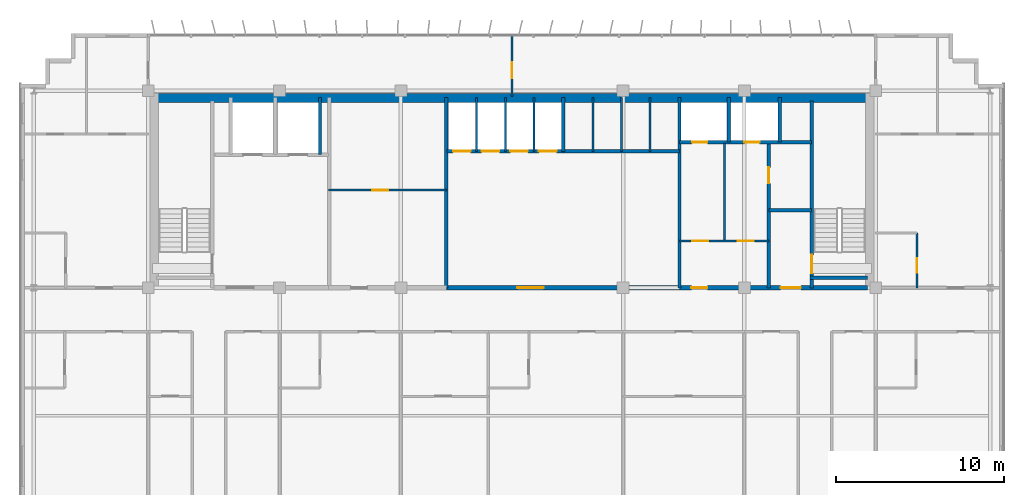
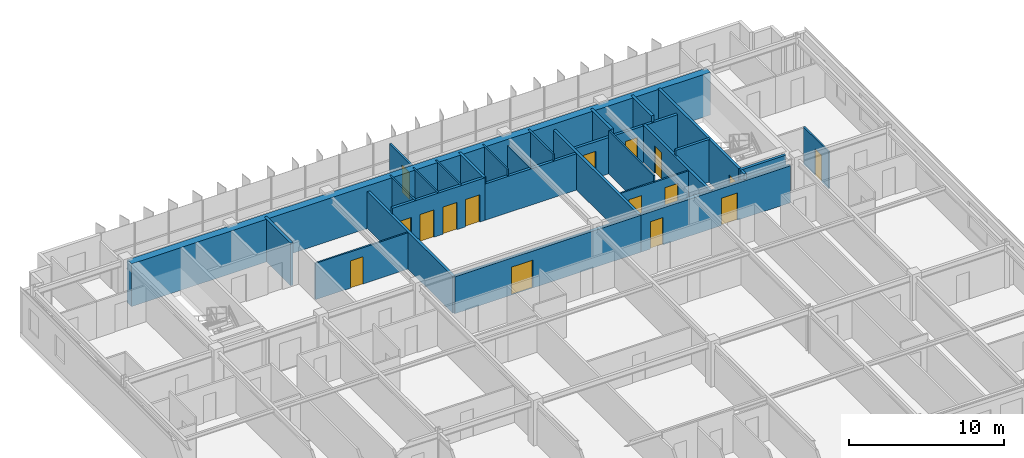
# One storey, part 20 of 23: 27 walls, 16 doors, 16 openings.
"""IFC4 building model written with IfcOpenShell, lengths in metres."""

from ifc_helpers import new_model, si_unit, direction, frame, frame_2d, origin, place, context, subcontext, project, spatial, rectangle, extrude, source, transform, mapped, material, layer, layer_set, type_object, element, fill, save


model = new_model("IFC4")

# Units and contexts
model_context = context("Model", 3, precision=1e-05, world=origin(), true_north=direction((0.0, 1.0)))
body_context = subcontext(model_context, "Body", "Model", "MODEL_VIEW")
ifc_project = project(units=[si_unit("LENGTHUNIT", "METRE"), si_unit("AREAUNIT", "SQUARE_METRE"), si_unit("VOLUMEUNIT", "CUBIC_METRE"), si_unit("PLANEANGLEUNIT", "RADIAN"), si_unit("MASSUNIT", "GRAM", prefix="KILO")], contexts=[model_context])

# Site, building, storey
site_placement = place(None, origin())
site = spatial("IfcSite", under=ifc_project, at=site_placement, CompositionType="ELEMENT")
building_placement = place(site_placement, origin())
building = spatial("IfcBuilding", under=site, at=building_placement, Name="Trelvane Seafront Commons", CompositionType="ELEMENT")
storey_placement = place(building_placement, frame((0.0, 0.0, 204.89990234375)))
storey = spatial("IfcBuildingStorey", under=building, at=storey_placement, Name="L53", CompositionType="ELEMENT", Elevation=204.89990234375)

# Wall, opening, door
ifc_material_1 = material(Name="Concrete C40/50", Category="concrete")
ifc_layer_1 = layer(ifc_material_1, 0.199951171875, Name="ARCH-WALL-FIRE200")
ifc_layer_set_1 = layer_set([ifc_layer_1], Name="Concrete C40/50")
wall_type_1 = type_object("IfcWallType", Name="ARCH-WALL-FIRE200", PredefinedType="PARTITIONING", material=ifc_layer_set_1)
wall_1_placement = place(storey_placement, frame((52.449951171875, 33.39990234375, 0.0), z_axis=(0.0, 0.0, 1.0), x_axis=(0.0, 1.0, 0.0)))
wall_1 = element("IfcWall", 1, at=wall_1_placement, inside=storey, type_object=wall_type_1, Name="W-L53-ST2V-W-031", PredefinedType="PARTITIONING", context=body_context, shape_type="SweptSolid", body=[
    extrude(rectangle(XDim=8.650146484375, YDim=0.199951171875, at=frame_2d((4.3251953125, 0.0))), origin(), (0.0, 0.0, 1.0), 2.91015625),
])
opening_1_placement = place(wall_1_placement, frame((6.199951171875, 0.0, 0.0)))
opening_1 = element("IfcOpeningElement", 2, at=opening_1_placement, cuts=wall_1, Name="Opening FD-L53-15", PredefinedType="OPENING", context=body_context, shape_type="SweptSolid", body=[
    extrude(rectangle(XDim=0.949951171875, YDim=2.14990234375, at=frame_2d((0.47509765625, 1.074951171875))), frame((0.0, 0.10986328125, 0.0), z_axis=(0.0, -1.0, 0.0), x_axis=(1.0, 0.0, 0.0)), (0.0, 0.0, 1.0), 0.219970703125),
])
ifc_material_2 = material(Name="Powder-coated aluminium frame", Category="aluminium")
door_type_1 = type_object("IfcDoorType", Name="ARCH-DR-FD60-950", OperationType="NOTDEFINED", PredefinedType="DOOR", material=ifc_material_2)
shared_shape_1 = source(origin(), body_context, "Body", "SweptSolid", [
    extrude(rectangle(XDim=0.949951171875, YDim=2.14990234375, at=frame_2d((0.47509765625, 1.074951171875))), frame((0.0, 0.02490234375, 0.0), z_axis=(0.0, -1.0, 0.0), x_axis=(1.0, 0.0, 0.0)), (0.0, 0.0, 1.0), 0.050048828125),
])
door_1_placement = place(opening_1_placement, origin())
door_1 = element("IfcDoor", 3, at=door_1_placement, inside=storey, type_object=door_type_1, Name="L53 Cleaner Store Door", OperationType="SINGLE_SWING_LEFT", OverallHeight=2.14990234375, OverallWidth=0.949951171875, PredefinedType="DOOR", context=body_context, shape_type="MappedRepresentation", body=[
    mapped(shared_shape_1, transform((0.0, 0.0, 0.0), x_axis=(1.0, 0.0, 0.0), y_axis=(0.0, 1.0, 0.0), z_axis=(0.0, 0.0, 1.0), scale=1.0)),
])
fill(opening_1, door_1)

# Wall
wall_2_placement = place(storey_placement, frame((52.449951171875, 38.0, 0.0), z_axis=(0.0, 0.0, 1.0), x_axis=(1.0, 0.0, 0.0)))
element("IfcWall", 4, at=wall_2_placement, inside=storey, type_object=wall_type_1, Name="W-L53-ST2V-N-032", PredefinedType="PARTITIONING", context=body_context, shape_type="SweptSolid", body=[
    extrude(rectangle(XDim=2.550048828125, YDim=0.199951171875, at=frame_2d((1.27490234375, 0.0))), origin(), (0.0, 0.0, 1.0), 3.360107421875),
])

# Wall, opening, door
ifc_layer_2 = layer(ifc_material_1, 0.25, Name="ARCH-WALL-FIRE250")
ifc_layer_set_2 = layer_set([ifc_layer_2], Name="Concrete C40/50")
wall_type_2 = type_object("IfcWallType", Name="ARCH-WALL-FIRE250", PredefinedType="PARTITIONING", material=ifc_layer_set_2)
wall_3_placement = place(storey_placement, frame((33.300048828125, 33.39990234375, 0.0), z_axis=(0.0, 0.0, 1.0), x_axis=(1.0, 0.0, 0.0)))
wall_3 = element("IfcWall", 5, at=wall_3_placement, inside=storey, type_object=wall_type_2, Name="W-L53-CS-PAX-027", PredefinedType="PARTITIONING", context=body_context, shape_type="SweptSolid", body=[
    extrude(rectangle(XDim=13.849853515625, YDim=0.25, at=frame_2d((6.9248046875, 0.0))), origin(), (0.0, 0.0, 1.0), 2.91015625),
])
opening_2_placement = place(wall_3_placement, frame((4.199951171875, 0.0, 0.0)))
opening_2 = element("IfcOpeningElement", 6, at=opening_2_placement, cuts=wall_3, Name="Opening FD-L53-12", PredefinedType="OPENING", context=body_context, shape_type="SweptSolid", body=[
    extrude(rectangle(XDim=1.60009765625, YDim=2.199951171875, at=frame_2d((0.800048828125, 1.10009765625))), frame((0.0, 0.135009765625, 0.0), z_axis=(0.0, -1.0, 0.0), x_axis=(1.0, 0.0, 0.0)), (0.0, 0.0, 1.0), 0.27001953125),
])
door_type_2 = type_object("IfcDoorType", Name="ARCH-DR-FD60-1600", OperationType="DOUBLE_DOOR_SINGLE_SWING", PredefinedType="DOOR", material=ifc_material_2)
shared_shape_2 = source(origin(), body_context, "Body", "SweptSolid", [
    extrude(rectangle(XDim=1.60009765625, YDim=2.199951171875, at=frame_2d((0.800048828125, 1.10009765625))), frame((0.0, 0.02490234375, 0.0), z_axis=(0.0, -1.0, 0.0), x_axis=(1.0, 0.0, 0.0)), (0.0, 0.0, 1.0), 0.050048828125),
])
door_2_placement = place(opening_2_placement, origin())
door_2 = element("IfcDoor", 7, at=door_2_placement, inside=storey, type_object=door_type_2, Name="L53 Passenger Lift Lobby Double Door", OperationType="DOUBLE_DOOR_SINGLE_SWING", OverallHeight=2.199951171875, OverallWidth=1.60009765625, PredefinedType="DOOR", context=body_context, shape_type="MappedRepresentation", body=[
    mapped(shared_shape_2, transform((0.0, 0.0, 0.0), x_axis=(1.0, 0.0, 0.0), y_axis=(0.0, 1.0, 0.0), z_axis=(0.0, 0.0, 1.0), scale=1.0)),
])
fill(opening_2, door_2)

# Wall, openings, doors
wall_4_placement = place(storey_placement, frame((47.14990234375, 33.39990234375, 0.0), z_axis=(0.0, 0.0, 1.0), x_axis=(1.0, 0.0, 0.0)))
wall_4 = element("IfcWall", 8, at=wall_4_placement, inside=storey, type_object=wall_type_2, Name="W-L53-CS-EAST-035", PredefinedType="PARTITIONING", context=body_context, shape_type="SweptSolid", body=[
    extrude(rectangle(XDim=11.150146484375, YDim=0.25, at=frame_2d((5.5751953125, 0.0))), origin(), (0.0, 0.0, 1.0), 2.91015625),
])
opening_3_placement = place(wall_4_placement, frame((0.699951171875, 0.0, 0.0)))
opening_3 = element("IfcOpeningElement", 9, at=opening_3_placement, cuts=wall_4, Name="Opening FD-L53-18", PredefinedType="OPENING", context=body_context, shape_type="SweptSolid", body=[
    extrude(rectangle(XDim=0.949951171875, YDim=2.14990234375, at=frame_2d((0.47509765625, 1.074951171875))), frame((0.0, 0.135009765625, 0.0), z_axis=(0.0, -1.0, 0.0), x_axis=(1.0, 0.0, 0.0)), (0.0, 0.0, 1.0), 0.27001953125),
])
opening_4_placement = place(wall_4_placement, frame((6.0, 0.0, 0.0)))
opening_4 = element("IfcOpeningElement", 10, at=opening_4_placement, cuts=wall_4, Name="Opening FD-L53-19", PredefinedType="OPENING", context=body_context, shape_type="SweptSolid", body=[
    extrude(rectangle(XDim=1.199951171875, YDim=2.14990234375, at=frame_2d((0.60009765625, 1.074951171875))), frame((0.0, 0.135009765625, 0.0), z_axis=(0.0, -1.0, 0.0), x_axis=(1.0, 0.0, 0.0)), (0.0, 0.0, 1.0), 0.27001953125),
])
door_3_placement = place(opening_3_placement, origin())
door_3 = element("IfcDoor", 11, at=door_3_placement, inside=storey, type_object=door_type_1, Name="L53 Core Service Lobby Door", OperationType="SINGLE_SWING_RIGHT", OverallHeight=2.14990234375, OverallWidth=0.949951171875, PredefinedType="DOOR", context=body_context, shape_type="MappedRepresentation", body=[
    mapped(shared_shape_1, transform((0.0, 0.0, 0.0), x_axis=(1.0, 0.0, 0.0), y_axis=(0.0, 1.0, 0.0), z_axis=(0.0, 0.0, 1.0), scale=1.0)),
])
fill(opening_3, door_3)
door_type_3 = type_object("IfcDoorType", Name="ARCH-DR-FD60-1200", OperationType="NOTDEFINED", PredefinedType="DOOR", material=ifc_material_2)
shared_shape_3 = source(origin(), body_context, "Body", "SweptSolid", [
    extrude(rectangle(XDim=1.199951171875, YDim=2.14990234375, at=frame_2d((0.60009765625, 1.074951171875))), frame((0.0, 0.02490234375, 0.0), z_axis=(0.0, -1.0, 0.0), x_axis=(1.0, 0.0, 0.0)), (0.0, 0.0, 1.0), 0.050048828125),
])
door_4_placement = place(opening_4_placement, origin())
door_4 = element("IfcDoor", 12, at=door_4_placement, inside=storey, type_object=door_type_3, Name="L53 East Stair Vestibule Fire Door", OperationType="SINGLE_SWING_LEFT", OverallHeight=2.14990234375, OverallWidth=1.199951171875, PredefinedType="DOOR", context=body_context, shape_type="MappedRepresentation", body=[
    mapped(shared_shape_3, transform((0.0, 0.0, 0.0), x_axis=(1.0, 0.0, 0.0), y_axis=(0.0, 1.0, 0.0), z_axis=(0.0, 0.0, 1.0), scale=1.0)),
])
fill(opening_4, door_4)

# Wall, opening, door
ifc_material_3 = material(Name="Gypsum Drywall Acoustic Partition")
ifc_layer_3 = layer(ifc_material_3, 0.1201171875, Name="ARCH-WALL-PART120")
ifc_layer_set_3 = layer_set([ifc_layer_3], Name="Gypsum Drywall Acoustic Partition")
wall_type_3 = type_object("IfcWallType", Name="ARCH-WALL-PART120", PredefinedType="PARTITIONING", material=ifc_layer_set_3)
wall_5_placement = place(storey_placement, frame((26.300048828125, 39.199951171875, 0.0), z_axis=(0.0, 0.0, 1.0), x_axis=(1.0, 0.0, 0.0)))
wall_5 = element("IfcWall", 13, at=wall_5_placement, inside=storey, type_object=wall_type_3, Name="W-L53-FREED-PL-MID-014", PredefinedType="PARTITIONING", context=body_context, shape_type="SweptSolid", body=[
    extrude(rectangle(XDim=7.0, YDim=0.1201171875, at=frame_2d((3.5, 0.0))), origin(), (0.0, 0.0, 1.0), 2.860107421875),
])
opening_5_placement = place(wall_5_placement, frame((2.60009765625, 0.0, 0.0)))
opening_5 = element("IfcOpeningElement", 14, at=opening_5_placement, cuts=wall_5, Name="Opening D-L53-06", PredefinedType="OPENING", context=body_context, shape_type="SweptSolid", body=[
    extrude(rectangle(XDim=0.949951171875, YDim=2.14990234375, at=frame_2d((0.47509765625, 1.074951171875))), frame((0.0, 0.070068359375, 0.0), z_axis=(0.0, -1.0, 0.0), x_axis=(1.0, 0.0, 0.0)), (0.0, 0.0, 1.0), 0.14013671875),
])
ifc_material_4 = material(Name="Acoustic timber door leaf", Category="wood")
door_type_4 = type_object("IfcDoorType", Name="ARCH-DR-INT950", OperationType="NOTDEFINED", PredefinedType="DOOR", material=ifc_material_4)
door_5_placement = place(opening_5_placement, origin())
door_5 = element("IfcDoor", 15, at=door_5_placement, inside=storey, type_object=door_type_4, Name="L53 Housekeeping Store Door", OperationType="SINGLE_SWING_RIGHT", OverallHeight=2.14990234375, OverallWidth=0.949951171875, PredefinedType="DOOR", context=body_context, shape_type="MappedRepresentation", body=[
    mapped(shared_shape_1, transform((0.0, 0.0, 0.0), x_axis=(1.0, 0.0, 0.0), y_axis=(0.0, 1.0, 0.0), z_axis=(0.0, 0.0, 1.0), scale=1.0)),
])
fill(opening_5, door_5)

# Walls
for number, where, z_axis, x_axis, name in (
    (16, (35.10009765625, 41.5, 0.0), (0.0, 0.0, 1.0), (0.0, 1.0, 0.0), "W-L53-PM-DIV1-017"),
    (17, (36.800048828125, 41.5, 0.0), (0.0, 0.0, 1.0), (0.0, 1.0, 0.0), "W-L53-PM-DIV2-018"),
    (18, (38.5, 41.5, 0.0), (0.0, 0.0, 1.0), (0.0, 1.0, 0.0), "W-L53-PM-DIV3-019"),
    (19, (42.0, 41.5, 0.0), (0.0, 0.0, 1.0), (0.0, 1.0, 0.0), "W-L53-PH-DIV1-022"),
):
    element("IfcWall", number, at=place(storey_placement, frame(where, z_axis=z_axis, x_axis=x_axis)), inside=storey, type_object=wall_type_3, Name=name, PredefinedType="PARTITIONING", context=body_context, shape_type="SweptSolid", body=[
        extrude(rectangle(XDim=3.199951171875, YDim=0.1201171875, at=frame_2d((1.60009765625, 0.0))), origin(), (0.0, 0.0, 1.0), 3.360107421875),
    ])
wall_6_placement = place(storey_placement, frame((43.699951171875, 41.5, 0.0), z_axis=(0.0, 0.0, 1.0), x_axis=(0.0, 1.0, 0.0)))
element("IfcWall", 20, at=wall_6_placement, inside=storey, type_object=wall_type_3, Name="W-L53-PH-DIV2-023", PredefinedType="PARTITIONING", context=body_context, shape_type="SweptSolid", body=[
    extrude(rectangle(XDim=3.199951171875, YDim=0.1201171875, at=frame_2d((1.60009765625, 0.0))), origin(), (0.0, 0.0, 1.0), 2.860107421875),
])
wall_7_placement = place(storey_placement, frame((45.39990234375, 41.5, 0.0), z_axis=(0.0, 0.0, 1.0), x_axis=(0.0, 1.0, 0.0)))
element("IfcWall", 21, at=wall_7_placement, inside=storey, type_object=wall_type_3, Name="W-L53-PH-DIV3-024", PredefinedType="PARTITIONING", context=body_context, shape_type="SweptSolid", body=[
    extrude(rectangle(XDim=3.199951171875, YDim=0.1201171875, at=frame_2d((1.60009765625, 0.0))), origin(), (0.0, 0.0, 1.0), 3.360107421875),
])

# Wall, openings, doors
wall_8_placement = place(storey_placement, frame((47.14990234375, 36.179931640625, 0.0), z_axis=(0.0, 0.0, 1.0), x_axis=(1.0, 0.0, 0.0)))
wall_8 = element("IfcWall", 22, at=wall_8_placement, inside=storey, type_object=wall_type_3, Name="W-L53-CYC1-H-033", PredefinedType="PARTITIONING", context=body_context, shape_type="SweptSolid", body=[
    extrude(rectangle(XDim=5.300048828125, YDim=0.1201171875, at=frame_2d((2.64990234375, 0.0))), origin(), (0.0, 0.0, 1.0), 2.860107421875),
])
opening_6_placement = place(wall_8_placement, frame((0.75, 0.0, 0.0)))
opening_6 = element("IfcOpeningElement", 23, at=opening_6_placement, cuts=wall_8, Name="Opening D-L53-16", PredefinedType="OPENING", context=body_context, shape_type="SweptSolid", body=[
    extrude(rectangle(XDim=0.949951171875, YDim=2.14990234375, at=frame_2d((0.47509765625, 1.074951171875))), frame((0.0, 0.070068359375, 0.0), z_axis=(0.0, -1.0, 0.0), x_axis=(1.0, 0.0, 0.0)), (0.0, 0.0, 1.0), 0.14013671875),
])
opening_7_placement = place(wall_8_placement, frame((3.449951171875, 0.0, 0.0)))
opening_7 = element("IfcOpeningElement", 24, at=opening_7_placement, cuts=wall_8, Name="Opening D-L53-17", PredefinedType="OPENING", context=body_context, shape_type="SweptSolid", body=[
    extrude(rectangle(XDim=0.949951171875, YDim=2.14990234375, at=frame_2d((0.47509765625, 1.074951171875))), frame((0.0, 0.070068359375, 0.0), z_axis=(0.0, -1.0, 0.0), x_axis=(1.0, 0.0, 0.0)), (0.0, 0.0, 1.0), 0.14013671875),
])
door_6_placement = place(opening_6_placement, origin())
door_6 = element("IfcDoor", 25, at=door_6_placement, inside=storey, type_object=door_type_4, Name="L53 Accessible WC Door", OperationType="SINGLE_SWING_RIGHT", OverallHeight=2.14990234375, OverallWidth=0.949951171875, PredefinedType="DOOR", context=body_context, shape_type="MappedRepresentation", body=[
    mapped(shared_shape_1, transform((0.0, 0.0, 0.0), x_axis=(1.0, 0.0, 0.0), y_axis=(0.0, 1.0, 0.0), z_axis=(0.0, 0.0, 1.0), scale=1.0)),
])
fill(opening_6, door_6)
door_7_placement = place(opening_7_placement, origin())
door_7 = element("IfcDoor", 26, at=door_7_placement, inside=storey, type_object=door_type_4, Name="L53 BMS Room Door", OperationType="SINGLE_SWING_LEFT", OverallHeight=2.14990234375, OverallWidth=0.949951171875, PredefinedType="DOOR", context=body_context, shape_type="MappedRepresentation", body=[
    mapped(shared_shape_1, transform((0.0, 0.0, 0.0), x_axis=(1.0, 0.0, 0.0), y_axis=(0.0, 1.0, 0.0), z_axis=(0.0, 0.0, 1.0), scale=1.0)),
])
fill(opening_7, door_7)

# Wall
wall_9_placement = place(storey_placement, frame((49.820068359375, 36.179931640625, 0.0), z_axis=(0.0, 0.0, 1.0), x_axis=(0.0, 1.0, 0.0)))
element("IfcWall", 27, at=wall_9_placement, inside=storey, type_object=wall_type_3, Name="W-L53-CYC1-V-034", PredefinedType="PARTITIONING", context=body_context, shape_type="SweptSolid", body=[
    extrude(rectangle(XDim=5.820068359375, YDim=0.1201171875, at=frame_2d((2.91015625, 0.0))), origin(), (0.0, 0.0, 1.0), 3.360107421875),
])

# Wall, opening, door
wall_10_placement = place(storey_placement, frame((61.25, 33.39990234375, 0.0), z_axis=(0.0, 0.0, 1.0), x_axis=(0.0, 1.0, 0.0)))
wall_10 = element("IfcWall", 28, at=wall_10_placement, inside=storey, type_object=wall_type_3, Name="W-L53-NE-BE-042", PredefinedType="PARTITIONING", context=body_context, shape_type="SweptSolid", body=[
    extrude(rectangle(XDim=3.25, YDim=0.1201171875, at=frame_2d((1.625, 0.0))), origin(), (0.0, 0.0, 1.0), 2.91015625),
])
opening_8_placement = place(wall_10_placement, frame((0.89990234375, 0.0, 0.0)))
opening_8 = element("IfcOpeningElement", 29, at=opening_8_placement, cuts=wall_10, Name="Opening D-L53-24", PredefinedType="OPENING", context=body_context, shape_type="SweptSolid", body=[
    extrude(rectangle(XDim=0.85009765625, YDim=2.10009765625, at=frame_2d((0.425048828125, 1.050048828125))), frame((0.0, 0.070068359375, 0.0), z_axis=(0.0, -1.0, 0.0), x_axis=(1.0, 0.0, 0.0)), (0.0, 0.0, 1.0), 0.14013671875),
])
door_type_5 = type_object("IfcDoorType", Name="ARCH-DR-INT850", OperationType="NOTDEFINED", PredefinedType="DOOR", material=ifc_material_4)
shared_shape_4 = source(origin(), body_context, "Body", "SweptSolid", [
    extrude(rectangle(XDim=0.85009765625, YDim=2.10009765625, at=frame_2d((0.425048828125, 1.050048828125))), frame((0.0, 0.02490234375, 0.0), z_axis=(0.0, -1.0, 0.0), x_axis=(1.0, 0.0, 0.0)), (0.0, 0.0, 1.0), 0.050048828125),
])
door_8_placement = place(opening_8_placement, origin())
door_8 = element("IfcDoor", 30, at=door_8_placement, inside=storey, type_object=door_type_5, Name="L53 Door 24", OperationType="SINGLE_SWING_RIGHT", OverallHeight=2.10009765625, OverallWidth=0.85009765625, PredefinedType="DOOR", context=body_context, shape_type="MappedRepresentation", body=[
    mapped(shared_shape_4, transform((0.0, 0.0, 0.0), x_axis=(1.0, 0.0, 0.0), y_axis=(0.0, 1.0, 0.0), z_axis=(0.0, 0.0, 1.0), scale=1.0)),
])
fill(opening_8, door_8)

wall_11_placement = place(storey_placement, frame((37.199951171875, 44.75, 0.0), z_axis=(0.0, 0.0, 1.0), x_axis=(0.0, 1.0, 0.0)))
wall_11 = element("IfcWall", 31, at=wall_11_placement, inside=storey, type_object=wall_type_3, Name="W-L53-N-MID-DV-048", PredefinedType="PARTITIONING", context=body_context, shape_type="SweptSolid", body=[
    extrude(rectangle(XDim=3.610107421875, YDim=0.1201171875, at=frame_2d((1.80517578125, 0.0))), origin(), (0.0, 0.0, 1.0), 2.91015625),
])
opening_9_placement = place(wall_11_placement, frame((1.10009765625, 0.0, 0.0)))
opening_9 = element("IfcOpeningElement", 32, at=opening_9_placement, cuts=wall_11, Name="Opening D-L53-28", PredefinedType="OPENING", context=body_context, shape_type="SweptSolid", body=[
    extrude(rectangle(XDim=0.949951171875, YDim=2.14990234375, at=frame_2d((0.47509765625, 1.074951171875))), frame((0.0, 0.070068359375, 0.0), z_axis=(0.0, -1.0, 0.0), x_axis=(1.0, 0.0, 0.0)), (0.0, 0.0, 1.0), 0.14013671875),
])
door_9_placement = place(opening_9_placement, origin())
door_9 = element("IfcDoor", 33, at=door_9_placement, inside=storey, type_object=door_type_4, Name="L53 Door 28", OperationType="SINGLE_SWING_RIGHT", OverallHeight=2.14990234375, OverallWidth=0.949951171875, PredefinedType="DOOR", context=body_context, shape_type="MappedRepresentation", body=[
    mapped(shared_shape_1, transform((0.0, 0.0, 0.0), x_axis=(1.0, 0.0, 0.0), y_axis=(0.0, 1.0, 0.0), z_axis=(0.0, 0.0, 1.0), scale=1.0)),
])
fill(opening_9, door_9)

# Walls
ifc_layer_4 = layer(ifc_material_1, 0.199951171875, Name="ARCH-WALL-SHAFT200")
ifc_layer_set_4 = layer_set([ifc_layer_4], Name="Concrete C40/50")
wall_type_4 = type_object("IfcWallType", Name="ARCH-WALL-SHAFT200", PredefinedType="SOLIDWALL", material=ifc_layer_set_4)
wall_12_placement = place(storey_placement, frame((25.800048828125, 41.300048828125, 0.0), z_axis=(0.0, 0.0, 1.0), x_axis=(0.0, 1.0, 0.0)))
element("IfcWall", 34, at=wall_12_placement, inside=storey, type_object=wall_type_4, Name="W-L53-FFL-SH-E-011", PredefinedType="SOLIDWALL", context=body_context, shape_type="SweptSolid", body=[
    extrude(rectangle(XDim=3.39990234375, YDim=0.199951171875, at=frame_2d((1.699951171875, 0.0))), origin(), (0.0, 0.0, 1.0), 3.360107421875),
])
wall_13_placement = place(storey_placement, frame((33.300048828125, 33.39990234375, 0.0), z_axis=(0.0, 0.0, 1.0), x_axis=(0.0, 1.0, 0.0)))
element("IfcWall", 35, at=wall_13_placement, inside=storey, type_object=wall_type_4, Name="W-L53-FREED-PL-E-015", PredefinedType="SOLIDWALL", context=body_context, shape_type="SweptSolid", body=[
    extrude(rectangle(XDim=11.300048828125, YDim=0.199951171875, at=frame_2d((5.64990234375, 0.0))), origin(), (0.0, 0.0, 1.0), 2.91015625),
])

# Wall, openings, doors
wall_14_placement = place(storey_placement, frame((33.35009765625, 41.5, 0.0), z_axis=(0.0, 0.0, 1.0), x_axis=(1.0, 0.0, 0.0)))
wall_14 = element("IfcWall", 36, at=wall_14_placement, inside=storey, type_object=wall_type_4, Name="W-L53-PM-FRONT-016", PredefinedType="SOLIDWALL", context=body_context, shape_type="SweptSolid", body=[
    extrude(rectangle(XDim=6.89990234375, YDim=0.199951171875, at=frame_2d((3.449951171875, 0.0))), origin(), (0.0, 0.0, 1.0), 3.360107421875),
])
opening_10_placement = place(wall_14_placement, frame((0.35009765625, 0.0, 0.0)))
opening_10 = element("IfcOpeningElement", 37, at=opening_10_placement, cuts=wall_14, Name="Opening LD-PM1-L53", PredefinedType="OPENING", context=body_context, shape_type="SweptSolid", body=[
    extrude(rectangle(XDim=1.050048828125, YDim=2.14990234375, at=frame_2d((0.52490234375, 1.074951171875))), frame((0.0, 0.10986328125, 0.0), z_axis=(0.0, -1.0, 0.0), x_axis=(1.0, 0.0, 0.0)), (0.0, 0.0, 1.0), 0.219970703125),
])
opening_11_placement = place(wall_14_placement, frame((2.050048828125, 0.0, 0.0)))
opening_11 = element("IfcOpeningElement", 38, at=opening_11_placement, cuts=wall_14, Name="Opening LD-PM2-L53", PredefinedType="OPENING", context=body_context, shape_type="SweptSolid", body=[
    extrude(rectangle(XDim=1.050048828125, YDim=2.14990234375, at=frame_2d((0.52490234375, 1.074951171875))), frame((0.0, 0.10986328125, 0.0), z_axis=(0.0, -1.0, 0.0), x_axis=(1.0, 0.0, 0.0)), (0.0, 0.0, 1.0), 0.219970703125),
])
opening_12_placement = place(wall_14_placement, frame((3.75, 0.0, 0.0)))
opening_12 = element("IfcOpeningElement", 39, at=opening_12_placement, cuts=wall_14, Name="Opening LD-PM3-L53", PredefinedType="OPENING", context=body_context, shape_type="SweptSolid", body=[
    extrude(rectangle(XDim=1.050048828125, YDim=2.14990234375, at=frame_2d((0.52490234375, 1.074951171875))), frame((0.0, 0.10986328125, 0.0), z_axis=(0.0, -1.0, 0.0), x_axis=(1.0, 0.0, 0.0)), (0.0, 0.0, 1.0), 0.219970703125),
])
opening_13_placement = place(wall_14_placement, frame((5.449951171875, 0.0, 0.0)))
opening_13 = element("IfcOpeningElement", 40, at=opening_13_placement, cuts=wall_14, Name="Opening LD-PM4-L53", PredefinedType="OPENING", context=body_context, shape_type="SweptSolid", body=[
    extrude(rectangle(XDim=1.050048828125, YDim=2.14990234375, at=frame_2d((0.52490234375, 1.074951171875))), frame((0.0, 0.10986328125, 0.0), z_axis=(0.0, -1.0, 0.0), x_axis=(1.0, 0.0, 0.0)), (0.0, 0.0, 1.0), 0.219970703125),
])
ifc_material_5 = material(Name="Stainless steel balustrade", Category="steel")
door_type_6 = type_object("IfcDoorType", Name="ARCH-DR-LD1050", OperationType="DOUBLE_DOOR_SLIDING", PredefinedType="DOOR", material=ifc_material_5)
shared_shape_5 = source(origin(), body_context, "Body", "SweptSolid", [
    extrude(rectangle(XDim=1.050048828125, YDim=2.14990234375, at=frame_2d((0.52490234375, 1.074951171875))), frame((0.0, 0.02490234375, 0.0), z_axis=(0.0, -1.0, 0.0), x_axis=(1.0, 0.0, 0.0)), (0.0, 0.0, 1.0), 0.050048828125),
])
door_10_placement = place(opening_10_placement, origin())
door_10 = element("IfcDoor", 41, at=door_10_placement, inside=storey, type_object=door_type_6, Name="L53 Passenger Lift PM-1 Landing Door", OperationType="DOUBLE_DOOR_SLIDING", OverallHeight=2.14990234375, OverallWidth=1.050048828125, PredefinedType="DOOR", context=body_context, shape_type="MappedRepresentation", body=[
    mapped(shared_shape_5, transform((0.0, 0.0, 0.0), x_axis=(1.0, 0.0, 0.0), y_axis=(0.0, 1.0, 0.0), z_axis=(0.0, 0.0, 1.0), scale=1.0)),
])
fill(opening_10, door_10)
door_11_placement = place(opening_11_placement, origin())
door_11 = element("IfcDoor", 42, at=door_11_placement, inside=storey, type_object=door_type_6, Name="L53 Passenger Lift PM-2 Landing Door", OperationType="DOUBLE_DOOR_SLIDING", OverallHeight=2.14990234375, OverallWidth=1.050048828125, PredefinedType="DOOR", context=body_context, shape_type="MappedRepresentation", body=[
    mapped(shared_shape_5, transform((0.0, 0.0, 0.0), x_axis=(1.0, 0.0, 0.0), y_axis=(0.0, 1.0, 0.0), z_axis=(0.0, 0.0, 1.0), scale=1.0)),
])
fill(opening_11, door_11)
door_12_placement = place(opening_12_placement, origin())
door_12 = element("IfcDoor", 43, at=door_12_placement, inside=storey, type_object=door_type_6, Name="L53 Passenger Lift PM-3 Landing Door", OperationType="DOUBLE_DOOR_SLIDING", OverallHeight=2.14990234375, OverallWidth=1.050048828125, PredefinedType="DOOR", context=body_context, shape_type="MappedRepresentation", body=[
    mapped(shared_shape_5, transform((0.0, 0.0, 0.0), x_axis=(1.0, 0.0, 0.0), y_axis=(0.0, 1.0, 0.0), z_axis=(0.0, 0.0, 1.0), scale=1.0)),
])
fill(opening_12, door_12)
door_13_placement = place(opening_13_placement, origin())
door_13 = element("IfcDoor", 44, at=door_13_placement, inside=storey, type_object=door_type_6, Name="L53 Passenger Lift PM-4 Landing Door", OperationType="DOUBLE_DOOR_SLIDING", OverallHeight=2.14990234375, OverallWidth=1.050048828125, PredefinedType="DOOR", context=body_context, shape_type="MappedRepresentation", body=[
    mapped(shared_shape_5, transform((0.0, 0.0, 0.0), x_axis=(1.0, 0.0, 0.0), y_axis=(0.0, 1.0, 0.0), z_axis=(0.0, 0.0, 1.0), scale=1.0)),
])
fill(opening_13, door_13)

# Walls
wall_15_placement = place(storey_placement, frame((40.25, 41.5, 0.0), z_axis=(0.0, 0.0, 1.0), x_axis=(1.0, 0.0, 0.0)))
element("IfcWall", 45, at=wall_15_placement, inside=storey, type_object=wall_type_4, Name="W-L53-PH-FRONT-020", PredefinedType="SOLIDWALL", context=body_context, shape_type="SweptSolid", body=[
    extrude(rectangle(XDim=6.89990234375, YDim=0.199951171875, at=frame_2d((3.449951171875, 0.0))), origin(), (0.0, 0.0, 1.0), 2.860107421875),
])
wall_16_placement = place(storey_placement, frame((40.25, 41.5, 0.0), z_axis=(0.0, 0.0, 1.0), x_axis=(0.0, 1.0, 0.0)))
element("IfcWall", 46, at=wall_16_placement, inside=storey, type_object=wall_type_4, Name="W-L53-PH-WEST-SH-021", PredefinedType="SOLIDWALL", context=body_context, shape_type="SweptSolid", body=[
    extrude(rectangle(XDim=3.199951171875, YDim=0.199951171875, at=frame_2d((1.60009765625, 0.0))), origin(), (0.0, 0.0, 1.0), 3.360107421875),
])
wall_17_placement = place(storey_placement, frame((47.14990234375, 33.39990234375, 0.0), z_axis=(0.0, 0.0, 1.0), x_axis=(0.0, 1.0, 0.0)))
element("IfcWall", 47, at=wall_17_placement, inside=storey, type_object=wall_type_4, Name="W-L53-PH-EAST-025", PredefinedType="SOLIDWALL", context=body_context, shape_type="SweptSolid", body=[
    extrude(rectangle(XDim=11.300048828125, YDim=0.199951171875, at=frame_2d((5.64990234375, 0.0))), origin(), (0.0, 0.0, 1.0), 2.91015625),
])

# Wall, openings, doors
wall_18_placement = place(storey_placement, frame((47.14990234375, 42.050048828125, 0.0), z_axis=(0.0, 0.0, 1.0), x_axis=(1.0, 0.0, 0.0)))
wall_18 = element("IfcWall", 48, at=wall_18_placement, inside=storey, type_object=wall_type_4, Name="W-L53-RSR-S-028", PredefinedType="SOLIDWALL", context=body_context, shape_type="SweptSolid", body=[
    extrude(rectangle(XDim=7.85009765625, YDim=0.199951171875, at=frame_2d((3.925048828125, 0.0))), origin(), (0.0, 0.0, 1.0), 2.860107421875),
])
opening_14_placement = place(wall_18_placement, frame((0.75, 0.0, 0.0)))
opening_14 = element("IfcOpeningElement", 49, at=opening_14_placement, cuts=wall_18, Name="Opening FD-L53-13", PredefinedType="OPENING", context=body_context, shape_type="SweptSolid", body=[
    extrude(rectangle(XDim=0.89990234375, YDim=2.10009765625, at=frame_2d((0.449951171875, 1.050048828125))), frame((0.0, 0.10986328125, 0.0), z_axis=(0.0, -1.0, 0.0), x_axis=(1.0, 0.0, 0.0)), (0.0, 0.0, 1.0), 0.219970703125),
])
opening_15_placement = place(wall_18_placement, frame((3.85009765625, 0.0, 0.0)))
opening_15 = element("IfcOpeningElement", 50, at=opening_15_placement, cuts=wall_18, Name="Opening FD-L53-14", PredefinedType="OPENING", context=body_context, shape_type="SweptSolid", body=[
    extrude(rectangle(XDim=0.89990234375, YDim=2.10009765625, at=frame_2d((0.449951171875, 1.050048828125))), frame((0.0, 0.10986328125, 0.0), z_axis=(0.0, -1.0, 0.0), x_axis=(1.0, 0.0, 0.0)), (0.0, 0.0, 1.0), 0.219970703125),
])
door_type_7 = type_object("IfcDoorType", Name="ARCH-DR-FD60-900", OperationType="NOTDEFINED", PredefinedType="DOOR", material=ifc_material_2)
shared_shape_6 = source(origin(), body_context, "Body", "SweptSolid", [
    extrude(rectangle(XDim=0.89990234375, YDim=2.10009765625, at=frame_2d((0.449951171875, 1.050048828125))), frame((0.0, 0.02490234375, 0.0), z_axis=(0.0, -1.0, 0.0), x_axis=(1.0, 0.0, 0.0)), (0.0, 0.0, 1.0), 0.050048828125),
])
door_14_placement = place(opening_14_placement, origin())
door_14 = element("IfcDoor", 51, at=door_14_placement, inside=storey, type_object=door_type_7, Name="L53 Electrical Riser Access Door", OperationType="SINGLE_SWING_LEFT", OverallHeight=2.10009765625, OverallWidth=0.89990234375, PredefinedType="DOOR", context=body_context, shape_type="MappedRepresentation", body=[
    mapped(shared_shape_6, transform((0.0, 0.0, 0.0), x_axis=(1.0, 0.0, 0.0), y_axis=(0.0, 1.0, 0.0), z_axis=(0.0, 0.0, 1.0), scale=1.0)),
])
fill(opening_14, door_14)
door_15_placement = place(opening_15_placement, origin())
door_15 = element("IfcDoor", 52, at=door_15_placement, inside=storey, type_object=door_type_7, Name="L53 Mechanical Riser Access Door", OperationType="SINGLE_SWING_RIGHT", OverallHeight=2.10009765625, OverallWidth=0.89990234375, PredefinedType="DOOR", context=body_context, shape_type="MappedRepresentation", body=[
    mapped(shared_shape_6, transform((0.0, 0.0, 0.0), x_axis=(1.0, 0.0, 0.0), y_axis=(0.0, 1.0, 0.0), z_axis=(0.0, 0.0, 1.0), scale=1.0)),
])
fill(opening_15, door_15)

# Walls
for number, where, z_axis, x_axis, name in (
    (53, (50.080078125, 42.050048828125, 0.0), (0.0, 0.0, 1.0), (0.0, 1.0, 0.0), "W-L53-RSR-DIV-029"),
    (54, (53.10009765625, 42.050048828125, 0.0), (0.0, 0.0, 1.0), (0.0, 1.0, 0.0), "W-L53-RSR-E-030"),
):
    element("IfcWall", number, at=place(storey_placement, frame(where, z_axis=z_axis, x_axis=x_axis)), inside=storey, type_object=wall_type_4, Name=name, PredefinedType="SOLIDWALL", context=body_context, shape_type="SweptSolid", body=[
        extrude(rectangle(XDim=2.64990234375, YDim=0.199951171875, at=frame_2d((1.324951171875, 0.0))), origin(), (0.0, 0.0, 1.0), 3.360107421875),
    ])
ifc_material_6 = material(Name="Concrete C50/60", Category="concrete")
ifc_layer_5 = layer(ifc_material_6, 0.550048828125, Name="STR-WALL-CORE550")
ifc_layer_set_5 = layer_set([ifc_layer_5], Name="Concrete C50/60")
wall_type_5 = type_object("IfcWallType", Name="STR-WALL-CORE550", PredefinedType="SHEAR", material=ifc_layer_set_5)
wall_19_placement = place(storey_placement, frame((15.64990234375, 44.675048828125, 0.0), z_axis=(0.0, 0.0, 1.0), x_axis=(1.0, 0.0, 0.0)))
element("IfcWall", 55, at=wall_19_placement, inside=storey, type_object=wall_type_5, Name="W-L53-CN-ALL-001", PredefinedType="SHEAR", context=body_context, shape_type="SweptSolid", body=[
    extrude(rectangle(XDim=43.10009765625, YDim=0.550048828125, at=frame_2d((21.550048828125, 0.0))), origin(), (0.0, 0.0, 1.0), 3.360107421875),
])
ifc_layer_6 = layer(ifc_material_6, 0.199951171875, Name="STR-WALL-STAIR200")
ifc_layer_set_6 = layer_set([ifc_layer_6], Name="Concrete C50/60")
wall_type_6 = type_object("IfcWallType", Name="STR-WALL-STAIR200", PredefinedType="SHEAR", material=ifc_layer_set_6)
wall_20_placement = place(storey_placement, frame((54.89990234375, 34.0, 0.0), z_axis=(0.0, 0.0, 1.0), x_axis=(1.0, 0.0, 0.0)))
element("IfcWall", 56, at=wall_20_placement, inside=storey, type_object=wall_type_6, Name="W-L53-ST2-S-006", PredefinedType="SHEAR", context=body_context, shape_type="SweptSolid", body=[
    extrude(rectangle(XDim=3.400146484375, YDim=0.199951171875, at=frame_2d((1.7001953125, 0.0))), origin(), (0.0, 0.0, 1.0), 3.360107421875),
])

# Wall, opening, door
wall_21_placement = place(storey_placement, frame((55.0, 33.39990234375, 0.0), z_axis=(0.0, 0.0, 1.0), x_axis=(0.0, 1.0, 0.0)))
wall_21 = element("IfcWall", 57, at=wall_21_placement, inside=storey, type_object=wall_type_6, Name="W-L53-ST2-W-007", PredefinedType="SHEAR", context=body_context, shape_type="SweptSolid", body=[
    extrude(rectangle(XDim=11.10009765625, YDim=0.199951171875, at=frame_2d((5.550048828125, 0.0))), origin(), (0.0, 0.0, 1.0), 3.360107421875),
])
opening_16_placement = place(wall_21_placement, frame((0.85009765625, 0.0, 0.0)))
opening_16 = element("IfcOpeningElement", 58, at=opening_16_placement, cuts=wall_21, Name="Opening ST-D2-L53", PredefinedType="OPENING", context=body_context, shape_type="SweptSolid", body=[
    extrude(rectangle(XDim=1.10009765625, YDim=2.14990234375, at=frame_2d((0.550048828125, 1.074951171875))), frame((0.0, 0.10986328125, 0.0), z_axis=(0.0, -1.0, 0.0), x_axis=(1.0, 0.0, 0.0)), (0.0, 0.0, 1.0), 0.219970703125),
])
door_type_8 = type_object("IfcDoorType", Name="ARCH-DR-FD90-1100", OperationType="NOTDEFINED", PredefinedType="DOOR", material=ifc_material_2)
shared_shape_7 = source(origin(), body_context, "Body", "SweptSolid", [
    extrude(rectangle(XDim=1.10009765625, YDim=2.14990234375, at=frame_2d((0.550048828125, 1.074951171875))), frame((0.0, 0.02490234375, 0.0), z_axis=(0.0, -1.0, 0.0), x_axis=(1.0, 0.0, 0.0)), (0.0, 0.0, 1.0), 0.050048828125),
])
door_16_placement = place(opening_16_placement, origin())
door_16 = element("IfcDoor", 59, at=door_16_placement, inside=storey, type_object=door_type_8, Name="L53 Stair ST-2 Vestibule Fire Door", OperationType="SINGLE_SWING_RIGHT", OverallHeight=2.14990234375, OverallWidth=1.10009765625, PredefinedType="DOOR", context=body_context, shape_type="MappedRepresentation", body=[
    mapped(shared_shape_7, transform((0.0, 0.0, 0.0), x_axis=(1.0, 0.0, 0.0), y_axis=(0.0, 1.0, 0.0), z_axis=(0.0, 0.0, 1.0), scale=1.0)),
])
fill(opening_16, door_16)

save(model, "model.ifc")
